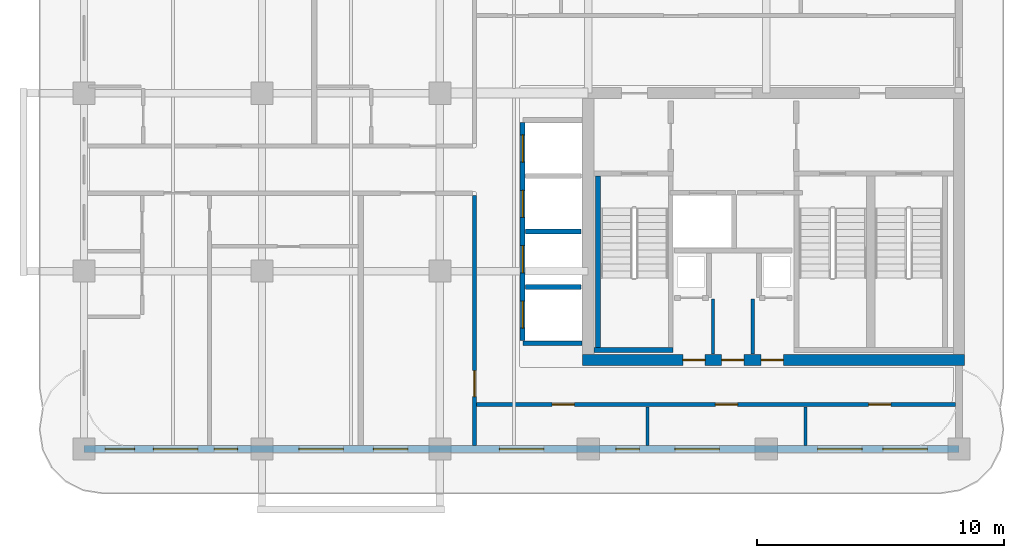
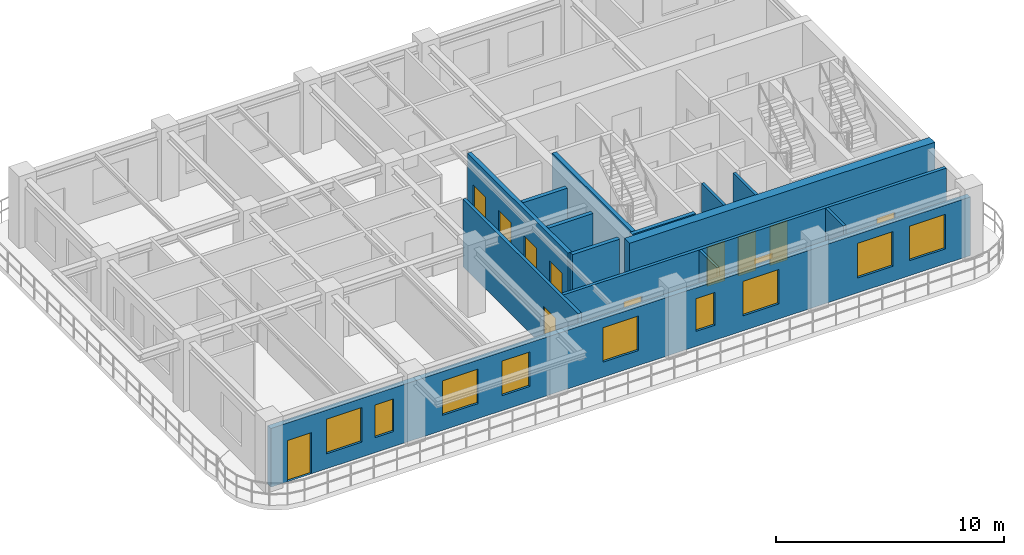
# One storey, part 3 of 7: 14 walls, 12 doors, 9 windows, 21 openings.
"""IFC4 building model written with IfcOpenShell, lengths in metres."""

from ifc_helpers import new_model, si_unit, derived_unit, direction, frame, frame_2d, origin, place, context, subcontext, project, spatial, rectangle, extrude, source, transform, mapped, material, layer, layer_set, type_object, type_shapes, element, fill, save


model = new_model("IFC4")

# Units and contexts
model_context = context("Model", 3, precision=1e-05, world=origin(), true_north=direction((0.0, 1.0)))
body_context = subcontext(model_context, "Body", "Model", "MODEL_VIEW")
ifc_project = project(units=[si_unit("LENGTHUNIT", "METRE"), si_unit("AREAUNIT", "SQUARE_METRE"), si_unit("VOLUMEUNIT", "CUBIC_METRE"), si_unit("PLANEANGLEUNIT", "RADIAN"), si_unit("MASSUNIT", "GRAM", prefix="KILO"), si_unit("THERMODYNAMICTEMPERATUREUNIT", "KELVIN"), si_unit("POWERUNIT", "WATT"), derived_unit("THERMALTRANSMITTANCEUNIT", [(si_unit("POWERUNIT", "WATT"), 1), (si_unit("AREAUNIT", "SQUARE_METRE"), -1), (si_unit("THERMODYNAMICTEMPERATUREUNIT", "KELVIN"), -1)])], contexts=[model_context])

# Site, building, storey
site_placement = place(None, origin())
site = spatial("IfcSite", under=ifc_project, at=site_placement, CompositionType="ELEMENT")
building_placement = place(site_placement, origin())
building = spatial("IfcBuilding", under=site, at=building_placement, Name="Zahravan Archway Hotel and Residences", CompositionType="ELEMENT")
storey_placement = place(building_placement, frame((0.0, 0.0, 236.550048828125)))
storey = spatial("IfcBuildingStorey", under=building, at=storey_placement, Name="L59", CompositionType="ELEMENT", Elevation=236.550048828125)

# Wall, openings, doors
ifc_material_1 = material(Name="Concrete C50/60", Category="concrete")
ifc_layer_1 = layer(ifc_material_1, 0.449951171875, Name="Concrete C50/60", Category="concrete")
ifc_layer_set_1 = layer_set([ifc_layer_1], Name="Concrete C50/60")
wall_type_1 = type_object("IfcWallType", Name="CW-CORE-450", PredefinedType="SHEAR", material=ifc_layer_set_1)
wall_1_placement = place(storey_placement, frame((34.574951171875, 3.60009765625, 0.0), z_axis=(0.0, 0.0, 1.0), x_axis=(1.0, 0.0, 0.0)))
wall_1 = element("IfcWall", 1, at=wall_1_placement, inside=storey, type_object=wall_type_1, Name="L59 Core A Shear S Wall 450 mm", PredefinedType="SHEAR", context=body_context, shape_type="SweptSolid", body=[
    extrude(rectangle(XDim=15.449951171875, YDim=0.449951171875, at=frame_2d((7.72509765625, 0.0))), origin(), (0.0, 0.0, 1.0), 3.849853515625),
])
opening_1_placement = place(wall_1_placement, frame((4.054931640625, 0.0, 0.0)))
opening_1 = element("IfcOpeningElement", 2, at=opening_1_placement, cuts=wall_1, Name="Opening FD-R1", PredefinedType="OPENING", context=body_context, shape_type="SweptSolid", body=[
    extrude(rectangle(XDim=0.89990234375, YDim=2.10009765625, at=frame_2d((0.449951171875, 1.050048828125))), frame((0.0, 0.23486328125, 0.0), z_axis=(0.0, -1.0, 0.0), x_axis=(1.0, 0.0, 0.0)), (0.0, 0.0, 1.0), 0.469970703125),
])
opening_2_placement = place(wall_1_placement, frame((5.625, 0.0, 0.0)))
opening_2 = element("IfcOpeningElement", 3, at=opening_2_placement, cuts=wall_1, Name="Opening FD-R1", PredefinedType="OPENING", context=body_context, shape_type="SweptSolid", body=[
    extrude(rectangle(XDim=0.89990234375, YDim=2.10009765625, at=frame_2d((0.449951171875, 1.050048828125))), frame((0.0, 0.23486328125, 0.0), z_axis=(0.0, -1.0, 0.0), x_axis=(1.0, 0.0, 0.0)), (0.0, 0.0, 1.0), 0.469970703125),
])
opening_3_placement = place(wall_1_placement, frame((7.22509765625, 0.0, 0.0)))
opening_3 = element("IfcOpeningElement", 4, at=opening_3_placement, cuts=wall_1, Name="Opening FD-R1", PredefinedType="OPENING", context=body_context, shape_type="SweptSolid", body=[
    extrude(rectangle(XDim=0.89990234375, YDim=2.10009765625, at=frame_2d((0.449951171875, 1.050048828125))), frame((0.0, 0.23486328125, 0.0), z_axis=(0.0, -1.0, 0.0), x_axis=(1.0, 0.0, 0.0)), (0.0, 0.0, 1.0), 0.469970703125),
])
ifc_material_2 = material(Name="Fire-Rated Painted Steel", Category="steel")
door_type_1 = type_object("IfcDoorType", Name="FD-RISER-900", OperationType="NOTDEFINED", PredefinedType="DOOR", material=ifc_material_2)
shared_shape_1 = source(origin(), body_context, "Body", "SweptSolid", [
    extrude(rectangle(XDim=0.89990234375, YDim=2.10009765625, at=frame_2d((0.449951171875, 1.050048828125))), frame((0.0, 0.02490234375, 0.0), z_axis=(0.0, -1.0, 0.0), x_axis=(1.0, 0.0, 0.0)), (0.0, 0.0, 1.0), 0.050048828125),
])
type_shapes(door_type_1, [shared_shape_1])
door_1_placement = place(opening_1_placement, origin())
door_1 = element("IfcDoor", 5, at=door_1_placement, inside=storey, type_object=door_type_1, Name="L59 Linen Store Door", OperationType="SINGLE_SWING_LEFT", OverallHeight=2.10009765625, OverallWidth=0.89990234375, PredefinedType="DOOR", context=body_context, shape_type="MappedRepresentation", body=[
    mapped(shared_shape_1, transform((0.0, 0.0, 0.0), scale=1.0)),
])
fill(opening_1, door_1)
door_2_placement = place(opening_2_placement, origin())
door_2 = element("IfcDoor", 6, at=door_2_placement, inside=storey, type_object=door_type_1, Name="L59 Housekeeping Store Door", OperationType="SINGLE_SWING_RIGHT", OverallHeight=2.10009765625, OverallWidth=0.89990234375, PredefinedType="DOOR", context=body_context, shape_type="MappedRepresentation", body=[
    mapped(shared_shape_1, transform((0.0, 0.0, 0.0), scale=1.0)),
])
fill(opening_2, door_2)
door_3_placement = place(opening_3_placement, origin())
door_3 = element("IfcDoor", 7, at=door_3_placement, inside=storey, type_object=door_type_1, Name="L59 Janitor Store Door", OperationType="SINGLE_SWING_LEFT", OverallHeight=2.10009765625, OverallWidth=0.89990234375, PredefinedType="DOOR", context=body_context, shape_type="MappedRepresentation", body=[
    mapped(shared_shape_1, transform((0.0, 0.0, 0.0), scale=1.0)),
])
fill(opening_3, door_3)

# Wall, openings, door, windows
ifc_material_3 = material(Name="Honed Red-Ochre Sandstone & Insulated Block", Category="masonry")
ifc_layer_2 = layer(ifc_material_3, 0.280029296875, Name="Honed Red-Ochre Sandstone & Insulated Block", Category="masonry")
ifc_layer_set_2 = layer_set([ifc_layer_2], Name="Honed Red-Ochre Sandstone & Insulated Block")
wall_type_2 = type_object("IfcWallType", Name="EW-LOG-280", PredefinedType="SOLIDWALL", material=ifc_layer_set_2)
wall_2_placement = place(storey_placement, frame((14.39990234375, 0.0, 0.0), z_axis=(0.0, 0.0, 1.0), x_axis=(1.0, 0.0, 0.0)))
wall_2 = element("IfcWall", 8, at=wall_2_placement, inside=storey, type_object=wall_type_2, Name="L59 Exterior Sandstone Wall WA-S", PredefinedType="SOLIDWALL", context=body_context, shape_type="SweptSolid", body=[
    extrude(rectangle(XDim=35.400146484375, YDim=0.280029296875, at=frame_2d((17.7001953125, 0.0))), origin(), (0.0, 0.0, 1.0), 3.135009765625),
])
opening_4_placement = place(wall_2_placement, frame((0.85009765625, 0.0, 0.0)))
opening_4 = element("IfcOpeningElement", 9, at=opening_4_placement, cuts=wall_2, Name="Opening ED-BL1", PredefinedType="OPENING", context=body_context, shape_type="SweptSolid", body=[
    extrude(rectangle(XDim=1.199951171875, YDim=2.199951171875, at=frame_2d((0.60009765625, 1.10009765625))), frame((0.0, 0.14990234375, 0.0), z_axis=(0.0, -1.0, 0.0), x_axis=(1.0, 0.0, 0.0)), (0.0, 0.0, 1.0), 0.300048828125),
])
opening_5_placement = place(wall_2_placement, frame((2.81103515625, 0.0, 0.800048828125)))
opening_5 = element("IfcOpeningElement", 10, at=opening_5_placement, cuts=wall_2, Name="Opening W-02", PredefinedType="OPENING", context=body_context, shape_type="SweptSolid", body=[
    extrude(rectangle(XDim=1.800048828125, YDim=1.85009765625, at=frame_2d((0.89990234375, 0.925048828125))), frame((0.0, 0.14990234375, 0.0), z_axis=(0.0, -1.0, 0.0), x_axis=(1.0, 0.0, 0.0)), (0.0, 0.0, 1.0), 0.300048828125),
])
opening_6_placement = place(wall_2_placement, frame((5.26904296875, 0.0, 0.800048828125)))
opening_6 = element("IfcOpeningElement", 11, at=opening_6_placement, cuts=wall_2, Name="Opening W-04", PredefinedType="OPENING", context=body_context, shape_type="SweptSolid", body=[
    extrude(rectangle(XDim=0.949951171875, YDim=1.75, at=frame_2d((0.47509765625, 0.875))), frame((0.0, 0.14990234375, 0.0), z_axis=(0.0, -1.0, 0.0), x_axis=(1.0, 0.0, 0.0)), (0.0, 0.0, 1.0), 0.300048828125),
])
opening_7_placement = place(wall_2_placement, frame((8.696044921875, 0.0, 0.800048828125)))
opening_7 = element("IfcOpeningElement", 12, at=opening_7_placement, cuts=wall_2, Name="Opening W-02", PredefinedType="OPENING", context=body_context, shape_type="SweptSolid", body=[
    extrude(rectangle(XDim=1.800048828125, YDim=1.85009765625, at=frame_2d((0.89990234375, 0.925048828125))), frame((0.0, 0.14990234375, 0.0), z_axis=(0.0, -1.0, 0.0), x_axis=(1.0, 0.0, 0.0)), (0.0, 0.0, 1.0), 0.300048828125),
])
opening_8_placement = place(wall_2_placement, frame((11.7041015625, 0.0, 0.800048828125)))
opening_8 = element("IfcOpeningElement", 13, at=opening_8_placement, cuts=wall_2, Name="Opening W-03", PredefinedType="OPENING", context=body_context, shape_type="SweptSolid", body=[
    extrude(rectangle(XDim=1.39990234375, YDim=1.85009765625, at=frame_2d((0.699951171875, 0.925048828125))), frame((0.0, 0.14990234375, 0.0), z_axis=(0.0, -1.0, 0.0), x_axis=(1.0, 0.0, 0.0)), (0.0, 0.0, 1.0), 0.300048828125),
])
opening_9_placement = place(wall_2_placement, frame((16.803955078125, 0.0, 0.800048828125)))
opening_9 = element("IfcOpeningElement", 14, at=opening_9_placement, cuts=wall_2, Name="Opening W-02", PredefinedType="OPENING", context=body_context, shape_type="SweptSolid", body=[
    extrude(rectangle(XDim=1.800048828125, YDim=1.85009765625, at=frame_2d((0.89990234375, 0.925048828125))), frame((0.0, 0.14990234375, 0.0), z_axis=(0.0, -1.0, 0.0), x_axis=(1.0, 0.0, 0.0)), (0.0, 0.0, 1.0), 0.300048828125),
])
opening_10_placement = place(wall_2_placement, frame((21.52099609375, 0.0, 0.800048828125)))
opening_10 = element("IfcOpeningElement", 15, at=opening_10_placement, cuts=wall_2, Name="Opening W-04", PredefinedType="OPENING", context=body_context, shape_type="SweptSolid", body=[
    extrude(rectangle(XDim=0.949951171875, YDim=1.75, at=frame_2d((0.47509765625, 0.875))), frame((0.0, 0.14990234375, 0.0), z_axis=(0.0, -1.0, 0.0), x_axis=(1.0, 0.0, 0.0)), (0.0, 0.0, 1.0), 0.300048828125),
])
opening_11_placement = place(wall_2_placement, frame((23.904052734375, 0.0, 0.800048828125)))
opening_11 = element("IfcOpeningElement", 16, at=opening_11_placement, cuts=wall_2, Name="Opening W-02", PredefinedType="OPENING", context=body_context, shape_type="SweptSolid", body=[
    extrude(rectangle(XDim=1.800048828125, YDim=1.85009765625, at=frame_2d((0.89990234375, 0.925048828125))), frame((0.0, 0.14990234375, 0.0), z_axis=(0.0, -1.0, 0.0), x_axis=(1.0, 0.0, 0.0)), (0.0, 0.0, 1.0), 0.300048828125),
])
opening_12_placement = place(wall_2_placement, frame((29.680908203125, 0.0, 0.800048828125)))
opening_12 = element("IfcOpeningElement", 17, at=opening_12_placement, cuts=wall_2, Name="Opening W-02", PredefinedType="OPENING", context=body_context, shape_type="SweptSolid", body=[
    extrude(rectangle(XDim=1.800048828125, YDim=1.85009765625, at=frame_2d((0.89990234375, 0.925048828125))), frame((0.0, 0.14990234375, 0.0), z_axis=(0.0, -1.0, 0.0), x_axis=(1.0, 0.0, 0.0)), (0.0, 0.0, 1.0), 0.300048828125),
])
opening_13_placement = place(wall_2_placement, frame((32.326904296875, 0.0, 0.800048828125)))
opening_13 = element("IfcOpeningElement", 18, at=opening_13_placement, cuts=wall_2, Name="Opening W-02", PredefinedType="OPENING", context=body_context, shape_type="SweptSolid", body=[
    extrude(rectangle(XDim=1.800048828125, YDim=1.85009765625, at=frame_2d((0.89990234375, 0.925048828125))), frame((0.0, 0.14990234375, 0.0), z_axis=(0.0, -1.0, 0.0), x_axis=(1.0, 0.0, 0.0)), (0.0, 0.0, 1.0), 0.300048828125),
])
ifc_material_4 = material(Name="Bronze-Anodized Glazed Aluminium", Category="aluminium")
door_type_2 = type_object("IfcDoorType", Name="ED-BALC-1200", OperationType="SLIDING_TO_LEFT", PredefinedType="DOOR", material=ifc_material_4)
shared_shape_2 = source(origin(), body_context, "Body", "SweptSolid", [
    extrude(rectangle(XDim=1.199951171875, YDim=2.199951171875, at=frame_2d((0.60009765625, 1.10009765625))), frame((0.0, 0.02490234375, 0.0), z_axis=(0.0, -1.0, 0.0), x_axis=(1.0, 0.0, 0.0)), (0.0, 0.0, 1.0), 0.050048828125),
])
type_shapes(door_type_2, [shared_shape_2])
door_4_placement = place(opening_4_placement, origin())
door_4 = element("IfcDoor", 19, at=door_4_placement, inside=storey, type_object=door_type_2, Name="L59 Outdoor Access Sliding Door (SLB-BAL-L59-SA)", OperationType="SLIDING_TO_LEFT", OverallHeight=2.199951171875, OverallWidth=1.199951171875, PredefinedType="DOOR", context=body_context, shape_type="MappedRepresentation", body=[
    mapped(shared_shape_2, transform((0.0, 0.0, 0.0), scale=1.0)),
])
fill(opening_4, door_4)
ifc_material_5 = material(Name="Bronze-Anodized Thermal-Break Aluminium & Low-E Glass", Category="aluminium")
window_type_1 = type_object("IfcWindowType", Name="WIN-TWR-1400", PartitioningType="SINGLE_PANEL", PredefinedType="WINDOW", material=ifc_material_5)
shared_shape_3 = source(origin(), body_context, "Body", "SweptSolid", [
    extrude(rectangle(XDim=1.39990234375, YDim=1.85009765625, at=frame_2d((0.699951171875, 0.925048828125))), frame((0.0, 0.030029296875, 0.0), z_axis=(0.0, -1.0, 0.0), x_axis=(1.0, 0.0, 0.0)), (0.0, 0.0, 1.0), 0.06005859375),
])
type_shapes(window_type_1, [shared_shape_3])
window_1_placement = place(opening_8_placement, origin())
window_1 = element("IfcWindow", 20, at=window_1_placement, inside=storey, type_object=window_type_1, Name="L59 Loggia Window 04", OverallHeight=1.85009765625, OverallWidth=1.39990234375, PartitioningType="SINGLE_PANEL", PredefinedType="WINDOW", context=body_context, shape_type="MappedRepresentation", body=[
    mapped(shared_shape_3, transform((0.0, 0.0, 0.0), scale=1.0)),
])
fill(opening_8, window_1)
window_type_2 = type_object("IfcWindowType", Name="WIN-NAR-950", PartitioningType="SINGLE_PANEL", PredefinedType="WINDOW", material=ifc_material_5)
shared_shape_4 = source(origin(), body_context, "Body", "SweptSolid", [
    extrude(rectangle(XDim=0.949951171875, YDim=1.75, at=frame_2d((0.47509765625, 0.875))), frame((0.0, 0.030029296875, 0.0), z_axis=(0.0, -1.0, 0.0), x_axis=(1.0, 0.0, 0.0)), (0.0, 0.0, 1.0), 0.06005859375),
])
type_shapes(window_type_2, [shared_shape_4])
window_2_placement = place(opening_6_placement, origin())
window_2 = element("IfcWindow", 21, at=window_2_placement, inside=storey, type_object=window_type_2, Name="L59 Loggia Window 02", OverallHeight=1.75, OverallWidth=0.949951171875, PartitioningType="SINGLE_PANEL", PredefinedType="WINDOW", context=body_context, shape_type="MappedRepresentation", body=[
    mapped(shared_shape_4, transform((0.0, 0.0, 0.0), scale=1.0)),
])
fill(opening_6, window_2)
window_3_placement = place(opening_10_placement, origin())
window_3 = element("IfcWindow", 22, at=window_3_placement, inside=storey, type_object=window_type_2, Name="L59 Loggia Window 06", OverallHeight=1.75, OverallWidth=0.949951171875, PartitioningType="SINGLE_PANEL", PredefinedType="WINDOW", context=body_context, shape_type="MappedRepresentation", body=[
    mapped(shared_shape_4, transform((0.0, 0.0, 0.0), scale=1.0)),
])
fill(opening_10, window_3)
window_type_3 = type_object("IfcWindowType", Name="WIN-TWR-1800", PartitioningType="DOUBLE_PANEL_VERTICAL", PredefinedType="WINDOW", material=ifc_material_5)
shared_shape_5 = source(origin(), body_context, "Body", "SweptSolid", [
    extrude(rectangle(XDim=1.800048828125, YDim=1.85009765625, at=frame_2d((0.89990234375, 0.925048828125))), frame((0.0, 0.030029296875, 0.0), z_axis=(0.0, -1.0, 0.0), x_axis=(1.0, 0.0, 0.0)), (0.0, 0.0, 1.0), 0.06005859375),
])
type_shapes(window_type_3, [shared_shape_5])
window_4_placement = place(opening_5_placement, origin())
window_4 = element("IfcWindow", 23, at=window_4_placement, inside=storey, type_object=window_type_3, Name="L59 Loggia Window 01", OverallHeight=1.85009765625, OverallWidth=1.800048828125, PartitioningType="DOUBLE_PANEL_VERTICAL", PredefinedType="WINDOW", context=body_context, shape_type="MappedRepresentation", body=[
    mapped(shared_shape_5, transform((0.0, 0.0, 0.0), scale=1.0)),
])
fill(opening_5, window_4)
window_5_placement = place(opening_7_placement, origin())
window_5 = element("IfcWindow", 24, at=window_5_placement, inside=storey, type_object=window_type_3, Name="L59 Loggia Window 03", OverallHeight=1.85009765625, OverallWidth=1.800048828125, PartitioningType="DOUBLE_PANEL_VERTICAL", PredefinedType="WINDOW", context=body_context, shape_type="MappedRepresentation", body=[
    mapped(shared_shape_5, transform((0.0, 0.0, 0.0), scale=1.0)),
])
fill(opening_7, window_5)
window_6_placement = place(opening_9_placement, origin())
window_6 = element("IfcWindow", 25, at=window_6_placement, inside=storey, type_object=window_type_3, Name="L59 Loggia Window 05", OverallHeight=1.85009765625, OverallWidth=1.800048828125, PartitioningType="DOUBLE_PANEL_VERTICAL", PredefinedType="WINDOW", context=body_context, shape_type="MappedRepresentation", body=[
    mapped(shared_shape_5, transform((0.0, 0.0, 0.0), scale=1.0)),
])
fill(opening_9, window_6)
window_7_placement = place(opening_11_placement, origin())
window_7 = element("IfcWindow", 26, at=window_7_placement, inside=storey, type_object=window_type_3, Name="L59 Loggia Window 07", OverallHeight=1.85009765625, OverallWidth=1.800048828125, PartitioningType="DOUBLE_PANEL_VERTICAL", PredefinedType="WINDOW", context=body_context, shape_type="MappedRepresentation", body=[
    mapped(shared_shape_5, transform((0.0, 0.0, 0.0), scale=1.0)),
])
fill(opening_11, window_7)
window_8_placement = place(opening_12_placement, origin())
window_8 = element("IfcWindow", 27, at=window_8_placement, inside=storey, type_object=window_type_3, Name="L59 Loggia Window 08", OverallHeight=1.85009765625, OverallWidth=1.800048828125, PartitioningType="DOUBLE_PANEL_VERTICAL", PredefinedType="WINDOW", context=body_context, shape_type="MappedRepresentation", body=[
    mapped(shared_shape_5, transform((0.0, 0.0, 0.0), scale=1.0)),
])
fill(opening_12, window_8)
window_9_placement = place(opening_13_placement, origin())
window_9 = element("IfcWindow", 28, at=window_9_placement, inside=storey, type_object=window_type_3, Name="L59 Loggia Window 09", OverallHeight=1.85009765625, OverallWidth=1.800048828125, PartitioningType="DOUBLE_PANEL_VERTICAL", PredefinedType="WINDOW", context=body_context, shape_type="MappedRepresentation", body=[
    mapped(shared_shape_5, transform((0.0, 0.0, 0.0), scale=1.0)),
])
fill(opening_13, window_9)

# Wall, opening, door
ifc_material_6 = material(Name="Fire-Rated Gypsum & Concrete Block", Category="concrete")
ifc_layer_3 = layer(ifc_material_6, 0.159912109375, Name="Fire-Rated Gypsum & Concrete Block", Category="concrete")
ifc_layer_set_3 = layer_set([ifc_layer_3], Name="Fire-Rated Gypsum & Concrete Block")
wall_type_3 = type_object("IfcWallType", Name="PW-CORR-160", PredefinedType="PARTITIONING", material=ifc_layer_set_3)
wall_3_placement = place(storey_placement, frame((30.199951171875, 0.14794921875, 0.0), z_axis=(0.0, 0.0, 1.0), x_axis=(0.0, 1.0, 0.0)))
wall_3 = element("IfcWall", 29, at=wall_3_placement, inside=storey, type_object=wall_type_3, Name="L59 Partition WA-SRW", PredefinedType="PARTITIONING", context=body_context, shape_type="SweptSolid", body=[
    extrude(rectangle(XDim=10.112060546875, YDim=0.159912109375, at=frame_2d((5.05615234375, 0.0))), origin(), (0.0, 0.0, 1.0), 3.599853515625),
])
opening_14_placement = place(wall_3_placement, frame((1.97705078125, 0.0, 0.0)))
opening_14 = element("IfcOpeningElement", 30, at=opening_14_placement, cuts=wall_3, Name="Opening FD-L2", PredefinedType="OPENING", context=body_context, shape_type="SweptSolid", body=[
    extrude(rectangle(XDim=1.050048828125, YDim=2.14990234375, at=frame_2d((0.52490234375, 1.074951171875))), frame((0.0, 0.08984375, 0.0), z_axis=(0.0, -1.0, 0.0), x_axis=(1.0, 0.0, 0.0)), (0.0, 0.0, 1.0), 0.179931640625),
])
door_type_3 = type_object("IfcDoorType", Name="FD-LOBBY-1100", OperationType="NOTDEFINED", PredefinedType="DOOR", material=ifc_material_2)
shared_shape_6 = source(origin(), body_context, "Body", "SweptSolid", [
    extrude(rectangle(XDim=1.050048828125, YDim=2.14990234375, at=frame_2d((0.52490234375, 1.074951171875))), frame((0.0, 0.02490234375, 0.0), z_axis=(0.0, -1.0, 0.0), x_axis=(1.0, 0.0, 0.0)), (0.0, 0.0, 1.0), 0.050048828125),
])
type_shapes(door_type_3, [shared_shape_6])
door_5_placement = place(opening_14_placement, origin())
door_5 = element("IfcDoor", 31, at=door_5_placement, inside=storey, type_object=door_type_3, Name="L59 South Riser Corridor Door", OperationType="SINGLE_SWING_RIGHT", OverallHeight=2.14990234375, OverallWidth=1.050048828125, PredefinedType="DOOR", context=body_context, shape_type="MappedRepresentation", body=[
    mapped(shared_shape_6, transform((0.0, 0.0, 0.0), scale=1.0)),
])
fill(opening_14, door_5)

# Wall, openings, doors
wall_4_placement = place(storey_placement, frame((30.2900390625, 1.800048828125, 0.0), z_axis=(0.0, 0.0, 1.0), x_axis=(1.0, 0.0, 0.0)))
wall_4 = element("IfcWall", 32, at=wall_4_placement, inside=storey, type_object=wall_type_3, Name="L59 Partition WA-SRS", PredefinedType="PARTITIONING", context=body_context, shape_type="SweptSolid", body=[
    extrude(rectangle(XDim=19.369873046875, YDim=0.159912109375, at=frame_2d((9.68505859375, 0.0))), origin(), (0.0, 0.0, 1.0), 3.599853515625),
])
opening_15_placement = place(wall_4_placement, frame((3.0537109375, 0.0, 0.0)))
opening_15 = element("IfcOpeningElement", 33, at=opening_15_placement, cuts=wall_4, Name="Opening D-I2", PredefinedType="OPENING", context=body_context, shape_type="SweptSolid", body=[
    extrude(rectangle(XDim=0.89990234375, YDim=2.14990234375, at=frame_2d((0.449951171875, 1.074951171875))), frame((0.0, 0.08984375, 0.0), z_axis=(0.0, -1.0, 0.0), x_axis=(1.0, 0.0, 0.0)), (0.0, 0.0, 1.0), 0.179931640625),
])
opening_16_placement = place(wall_4_placement, frame((9.659912109375, 0.0, 0.0)))
opening_16 = element("IfcOpeningElement", 34, at=opening_16_placement, cuts=wall_4, Name="Opening D-I2", PredefinedType="OPENING", context=body_context, shape_type="SweptSolid", body=[
    extrude(rectangle(XDim=0.89990234375, YDim=2.14990234375, at=frame_2d((0.449951171875, 1.074951171875))), frame((0.0, 0.08984375, 0.0), z_axis=(0.0, -1.0, 0.0), x_axis=(1.0, 0.0, 0.0)), (0.0, 0.0, 1.0), 0.179931640625),
])
opening_17_placement = place(wall_4_placement, frame((15.860107421875, 0.0, 0.0)))
opening_17 = element("IfcOpeningElement", 35, at=opening_17_placement, cuts=wall_4, Name="Opening D-I2", PredefinedType="OPENING", context=body_context, shape_type="SweptSolid", body=[
    extrude(rectangle(XDim=0.89990234375, YDim=2.14990234375, at=frame_2d((0.449951171875, 1.074951171875))), frame((0.0, 0.08984375, 0.0), z_axis=(0.0, -1.0, 0.0), x_axis=(1.0, 0.0, 0.0)), (0.0, 0.0, 1.0), 0.179931640625),
])
ifc_material_7 = material(Name="Hardwood Veneer Timber", Category="wood")
door_type_4 = type_object("IfcDoorType", Name="ID-INT-900", OperationType="NOTDEFINED", PredefinedType="DOOR", material=ifc_material_7)
shared_shape_7 = source(origin(), body_context, "Body", "SweptSolid", [
    extrude(rectangle(XDim=0.89990234375, YDim=2.14990234375, at=frame_2d((0.449951171875, 1.074951171875))), frame((0.0, 0.02490234375, 0.0), z_axis=(0.0, -1.0, 0.0), x_axis=(1.0, 0.0, 0.0)), (0.0, 0.0, 1.0), 0.050048828125),
])
type_shapes(door_type_4, [shared_shape_7])
door_6_placement = place(opening_15_placement, origin())
door_6 = element("IfcDoor", 36, at=door_6_placement, inside=storey, type_object=door_type_4, Name="L59 South Office Door", OperationType="SINGLE_SWING_LEFT", OverallHeight=2.14990234375, OverallWidth=0.89990234375, PredefinedType="DOOR", context=body_context, shape_type="MappedRepresentation", body=[
    mapped(shared_shape_7, transform((0.0, 0.0, 0.0), scale=1.0)),
])
fill(opening_15, door_6)
door_7_placement = place(opening_16_placement, origin())
door_7 = element("IfcDoor", 37, at=door_7_placement, inside=storey, type_object=door_type_4, Name="L59 South Meeting Door", OperationType="SINGLE_SWING_RIGHT", OverallHeight=2.14990234375, OverallWidth=0.89990234375, PredefinedType="DOOR", context=body_context, shape_type="MappedRepresentation", body=[
    mapped(shared_shape_7, transform((0.0, 0.0, 0.0), scale=1.0)),
])
fill(opening_16, door_7)
door_8_placement = place(opening_17_placement, origin())
door_8 = element("IfcDoor", 38, at=door_8_placement, inside=storey, type_object=door_type_4, Name="L59 South Prayer Alcove Door", OperationType="SINGLE_SWING_LEFT", OverallHeight=2.14990234375, OverallWidth=0.89990234375, PredefinedType="DOOR", context=body_context, shape_type="MappedRepresentation", body=[
    mapped(shared_shape_7, transform((0.0, 0.0, 0.0), scale=1.0)),
])
fill(opening_17, door_8)

# Walls
ifc_material_8 = material(Name="Acoustic Stud Partition")
ifc_layer_4 = layer(ifc_material_8, 0.125, Name="Acoustic Stud Partition")
ifc_layer_set_4 = layer_set([ifc_layer_4], Name="Acoustic Stud Partition")
wall_type_4 = type_object("IfcWallType", Name="PW-INT-125", PredefinedType="PARTITIONING", material=ifc_layer_set_4)
for number, where, z_axis, x_axis, name in (
    (39, (37.199951171875, 0.14794921875, 0.0), (0.0, 0.0, 1.0), (0.0, 1.0, 0.0), "L59 Partition S-DIV2A"),
    (40, (43.60009765625, 0.14794921875, 0.0), (0.0, 0.0, 1.0), (0.0, 1.0, 0.0), "L59 Partition S-DIV2B"),
):
    element("IfcWall", number, at=place(storey_placement, frame(where, z_axis=z_axis, x_axis=x_axis)), inside=storey, type_object=wall_type_4, Name=name, PredefinedType="PARTITIONING", context=body_context, shape_type="SweptSolid", body=[
        extrude(rectangle(XDim=1.56201171875, YDim=0.125, at=frame_2d((0.781005859375, 0.0))), origin(), (0.0, 0.0, 1.0), 3.599853515625),
    ])
ifc_layer_5 = layer(ifc_material_6, 0.199951171875, Name="Fire-Rated Gypsum & Concrete Block", Category="concrete")
ifc_layer_set_5 = layer_set([ifc_layer_5], Name="Fire-Rated Gypsum & Concrete Block")
wall_type_5 = type_object("IfcWallType", Name="PW-SHAFT-200", PredefinedType="PARTITIONING", material=ifc_layer_set_5)
wall_5_placement = place(storey_placement, frame((32.159912109375, 4.280029296875, 0.0), z_axis=(0.0, 0.0, 1.0), x_axis=(1.0, 0.0, 0.0)))
element("IfcWall", 41, at=wall_5_placement, inside=storey, type_object=wall_type_5, Name="L59 Partition B3-S", PredefinedType="PARTITIONING", context=body_context, shape_type="SweptSolid", body=[
    extrude(rectangle(XDim=2.385009765625, YDim=0.199951171875, at=frame_2d((1.1923828125, 0.0))), origin(), (0.0, 0.0, 1.0), 3.599853515625),
])

# Wall, openings, doors
wall_6_placement = place(storey_placement, frame((32.14990234375, 4.389892578125, 0.0), z_axis=(0.0, 0.0, 1.0), x_axis=(0.0, 1.0, 0.0)))
wall_6 = element("IfcWall", 42, at=wall_6_placement, inside=storey, type_object=wall_type_5, Name="L59 Partition B3-W", PredefinedType="PARTITIONING", context=body_context, shape_type="SweptSolid", body=[
    extrude(rectangle(XDim=8.820068359375, YDim=0.199951171875, at=frame_2d((4.41015625, 0.0))), origin(), (0.0, 0.0, 1.0), 3.599853515625),
])
opening_18_placement = place(wall_6_placement, frame((0.5, 0.0, 0.0)))
opening_18 = element("IfcOpeningElement", 43, at=opening_18_placement, cuts=wall_6, Name="Opening LD", PredefinedType="OPENING", context=body_context, shape_type="SweptSolid", body=[
    extrude(rectangle(XDim=1.10009765625, YDim=2.199951171875, at=frame_2d((0.550048828125, 1.10009765625))), frame((0.0, 0.10986328125, 0.0), z_axis=(0.0, -1.0, 0.0), x_axis=(1.0, 0.0, 0.0)), (0.0, 0.0, 1.0), 0.219970703125),
])
opening_19_placement = place(wall_6_placement, frame((2.739990234375, 0.0, 0.0)))
opening_19 = element("IfcOpeningElement", 44, at=opening_19_placement, cuts=wall_6, Name="Opening LD", PredefinedType="OPENING", context=body_context, shape_type="SweptSolid", body=[
    extrude(rectangle(XDim=1.10009765625, YDim=2.199951171875, at=frame_2d((0.550048828125, 1.10009765625))), frame((0.0, 0.10986328125, 0.0), z_axis=(0.0, -1.0, 0.0), x_axis=(1.0, 0.0, 0.0)), (0.0, 0.0, 1.0), 0.219970703125),
])
opening_20_placement = place(wall_6_placement, frame((4.97998046875, 0.0, 0.0)))
opening_20 = element("IfcOpeningElement", 45, at=opening_20_placement, cuts=wall_6, Name="Opening LD", PredefinedType="OPENING", context=body_context, shape_type="SweptSolid", body=[
    extrude(rectangle(XDim=1.10009765625, YDim=2.199951171875, at=frame_2d((0.550048828125, 1.10009765625))), frame((0.0, 0.10986328125, 0.0), z_axis=(0.0, -1.0, 0.0), x_axis=(1.0, 0.0, 0.0)), (0.0, 0.0, 1.0), 0.219970703125),
])
opening_21_placement = place(wall_6_placement, frame((7.219970703125, 0.0, 0.0)))
opening_21 = element("IfcOpeningElement", 46, at=opening_21_placement, cuts=wall_6, Name="Opening LD", PredefinedType="OPENING", context=body_context, shape_type="SweptSolid", body=[
    extrude(rectangle(XDim=1.10009765625, YDim=2.199951171875, at=frame_2d((0.550048828125, 1.10009765625))), frame((0.0, 0.10986328125, 0.0), z_axis=(0.0, -1.0, 0.0), x_axis=(1.0, 0.0, 0.0)), (0.0, 0.0, 1.0), 0.219970703125),
])
ifc_material_9 = material(Name="Brushed Stainless Steel", Category="steel")
door_type_5 = type_object("IfcDoorType", Name="DR-LIFT-LD", OperationType="SLIDING_TO_LEFT", PredefinedType="DOOR", material=ifc_material_9)
shared_shape_8 = source(origin(), body_context, "Body", "SweptSolid", [
    extrude(rectangle(XDim=1.10009765625, YDim=2.199951171875, at=frame_2d((0.550048828125, 1.10009765625))), frame((0.0, 0.02490234375, 0.0), z_axis=(0.0, -1.0, 0.0), x_axis=(1.0, 0.0, 0.0)), (0.0, 0.0, 1.0), 0.050048828125),
])
type_shapes(door_type_5, [shared_shape_8])
door_9_placement = place(opening_18_placement, origin())
door_9 = element("IfcDoor", 47, at=door_9_placement, inside=storey, type_object=door_type_5, Name="L59 Lift LP-7 Sliding Landing Door", OperationType="SLIDING_TO_LEFT", OverallHeight=2.199951171875, OverallWidth=1.10009765625, PredefinedType="DOOR", context=body_context, shape_type="MappedRepresentation", body=[
    mapped(shared_shape_8, transform((0.0, 0.0, 0.0), scale=1.0)),
])
fill(opening_18, door_9)
door_10_placement = place(opening_19_placement, origin())
door_10 = element("IfcDoor", 48, at=door_10_placement, inside=storey, type_object=door_type_5, Name="L59 Lift LP-8 Sliding Landing Door", OperationType="SLIDING_TO_LEFT", OverallHeight=2.199951171875, OverallWidth=1.10009765625, PredefinedType="DOOR", context=body_context, shape_type="MappedRepresentation", body=[
    mapped(shared_shape_8, transform((0.0, 0.0, 0.0), scale=1.0)),
])
fill(opening_19, door_10)
door_11_placement = place(opening_20_placement, origin())
door_11 = element("IfcDoor", 49, at=door_11_placement, inside=storey, type_object=door_type_5, Name="L59 Lift LP-9 Sliding Landing Door", OperationType="SLIDING_TO_LEFT", OverallHeight=2.199951171875, OverallWidth=1.10009765625, PredefinedType="DOOR", context=body_context, shape_type="MappedRepresentation", body=[
    mapped(shared_shape_8, transform((0.0, 0.0, 0.0), scale=1.0)),
])
fill(opening_20, door_11)
door_12_placement = place(opening_21_placement, origin())
door_12 = element("IfcDoor", 50, at=door_12_placement, inside=storey, type_object=door_type_5, Name="L59 Lift LP-10 Sliding Landing Door", OperationType="SLIDING_TO_LEFT", OverallHeight=2.199951171875, OverallWidth=1.10009765625, PredefinedType="DOOR", context=body_context, shape_type="MappedRepresentation", body=[
    mapped(shared_shape_8, transform((0.0, 0.0, 0.0), scale=1.0)),
])
fill(opening_21, door_12)

# Walls
for number, where, z_axis, x_axis, name in (
    (51, (32.260009765625, 6.56005859375, 0.0), (0.0, 0.0, 1.0), (1.0, 0.0, 0.0), "L59 Partition B3-D"),
    (52, (32.260009765625, 8.800048828125, 0.0), (0.0, 0.0, 1.0), (1.0, 0.0, 0.0), "L59 Partition B3-D"),
):
    element("IfcWall", number, at=place(storey_placement, frame(where, z_axis=z_axis, x_axis=x_axis)), inside=storey, type_object=wall_type_5, Name=name, PredefinedType="PARTITIONING", context=body_context, shape_type="SweptSolid", body=[
        extrude(rectangle(XDim=2.2548828125, YDim=0.199951171875, at=frame_2d((1.12744140625, 0.0))), origin(), (0.0, 0.0, 1.0), 3.599853515625),
    ])
ifc_material_10 = material(Name="Moisture-Resistant Blockwork", Category="masonry")
ifc_layer_6 = layer(ifc_material_10, 0.139892578125, Name="Moisture-Resistant Blockwork", Category="masonry")
ifc_layer_set_6 = layer_set([ifc_layer_6], Name="Moisture-Resistant Blockwork")
wall_type_6 = type_object("IfcWallType", Name="PW-WET-140", PredefinedType="PARTITIONING", material=ifc_layer_set_6)
for number, where, z_axis, x_axis, name in (
    (53, (39.85009765625, 3.844970703125, 0.0), (0.0, 0.0, 1.0), (0.0, 1.0, 0.0), "L59 Partition CA-CV1A"),
    (54, (41.449951171875, 3.844970703125, 0.0), (0.0, 0.0, 1.0), (0.0, 1.0, 0.0), "L59 Partition CA-CV1B"),
):
    element("IfcWall", number, at=place(storey_placement, frame(where, z_axis=z_axis, x_axis=x_axis)), inside=storey, type_object=wall_type_6, Name=name, PredefinedType="PARTITIONING", context=body_context, shape_type="SweptSolid", body=[
        extrude(rectangle(XDim=2.235107421875, YDim=0.139892578125, at=frame_2d((1.11767578125, 0.0))), origin(), (0.0, 0.0, 1.0), 3.599853515625),
    ])
ifc_layer_7 = layer(ifc_material_1, 0.199951171875, Name="Concrete C50/60", Category="concrete")
ifc_layer_set_7 = layer_set([ifc_layer_7], Name="Concrete C50/60")
wall_type_7 = type_object("IfcWallType", Name="SW-STAIR-200", PredefinedType="SHEAR", material=ifc_layer_set_7)
wall_7_placement = place(storey_placement, frame((35.02490234375, 4.0, 0.0), z_axis=(0.0, 0.0, 1.0), x_axis=(1.0, 0.0, 0.0)))
element("IfcWall", 55, at=wall_7_placement, inside=storey, type_object=wall_type_7, Name="L59 Stairwell RC Wall CA-SA1S", PredefinedType="SHEAR", context=body_context, shape_type="SweptSolid", body=[
    extrude(rectangle(XDim=3.215087890625, YDim=0.199951171875, at=frame_2d((1.607421875, 0.0))), origin(), (0.0, 0.0, 1.0), 3.849853515625),
])
wall_8_placement = place(storey_placement, frame((35.199951171875, 4.10009765625, 0.0), z_axis=(0.0, 0.0, 1.0), x_axis=(0.0, 1.0, 0.0)))
element("IfcWall", 56, at=wall_8_placement, inside=storey, type_object=wall_type_7, Name="L59 Stairwell RC Wall CA-SA1W", PredefinedType="SHEAR", context=body_context, shape_type="SweptSolid", body=[
    extrude(rectangle(XDim=6.949951171875, YDim=0.199951171875, at=frame_2d((3.47509765625, 0.0))), origin(), (0.0, 0.0, 1.0), 3.849853515625),
])

save(model, "model.ifc")
